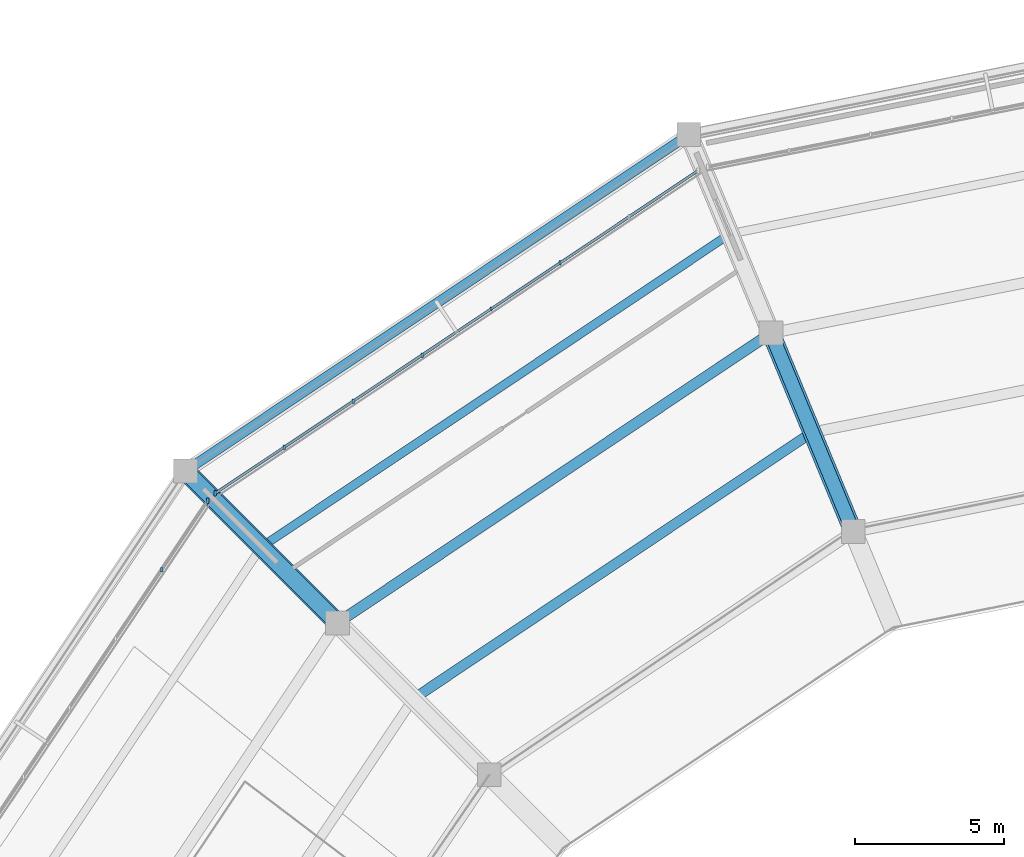
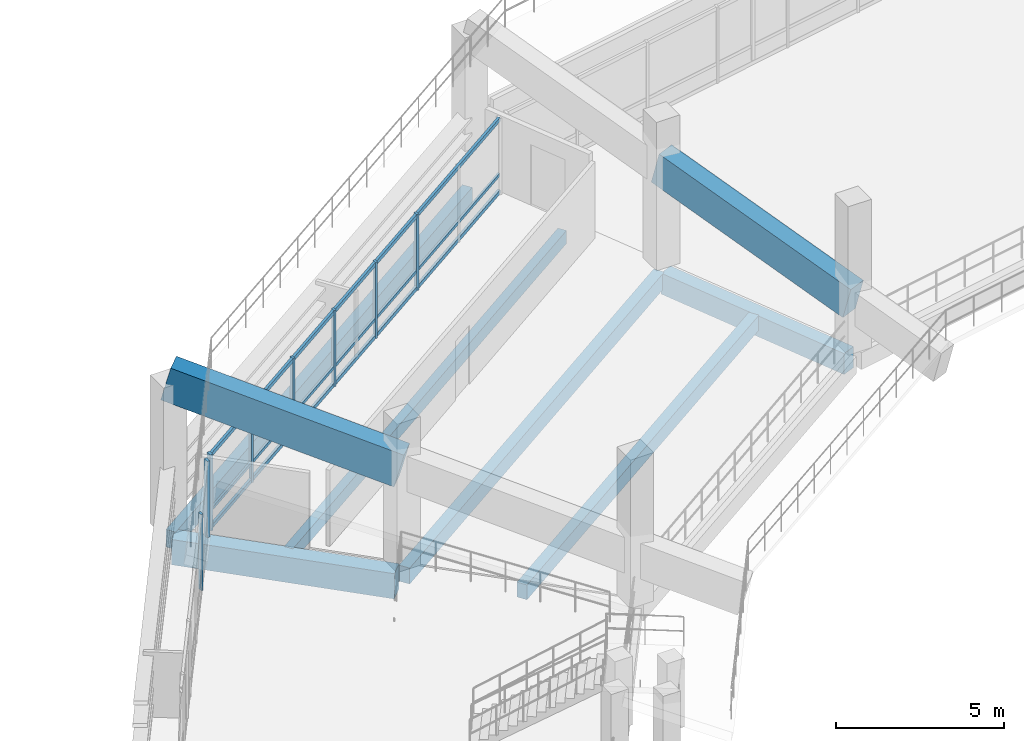
# One storey, part 40 of 96: 11 members, 8 beams, 2 elements without a shape of their own.
"""IFC4 building model written with IfcOpenShell, lengths in metres."""

from ifc_helpers import new_model, si_unit, direction, frame, origin, origin_2d, place, context, subcontext, project, spatial, rectangle, extrude, material, material_profile, profile_set, type_object, element, aggregate, save


model = new_model("IFC4")

# Units and contexts
model_context = context("Model", 3, precision=1e-05, world=origin(), true_north=direction((0.0, 1.0)))
body_context = subcontext(model_context, "Body", "Model", "MODEL_VIEW")
ifc_project = project(units=[si_unit("LENGTHUNIT", "METRE"), si_unit("AREAUNIT", "SQUARE_METRE"), si_unit("VOLUMEUNIT", "CUBIC_METRE"), si_unit("PLANEANGLEUNIT", "RADIAN"), si_unit("MASSUNIT", "GRAM", prefix="KILO")], contexts=[model_context])

# Site, building, storey
site_placement = place(None, origin())
site = spatial("IfcSite", under=ifc_project, at=site_placement, CompositionType="ELEMENT")
building_placement = place(site_placement, origin())
building = spatial("IfcBuilding", under=site, at=building_placement, Name="Candeia Ridge Stadium", CompositionType="ELEMENT")
storey_placement = place(building_placement, frame((0.0, 0.0, 21.60009765625)))
storey = spatial("IfcBuildingStorey", under=building, at=storey_placement, Name="L04", CompositionType="ELEMENT", Elevation=21.60009765625)

# Curtain wall, member
ifc_material_1 = material(Name="Aluminium Anodized Warm Bronze", Category="aluminium")
curtain_wall_type = type_object("IfcCurtainWallType", Name="Concourse Recessed Unitised Curtain Wall", PredefinedType="NOTDEFINED", material=ifc_material_1)
curtain_wall_1_placement = place(storey_placement, origin())
curtain_wall_1 = element("IfcCurtainWall", 1, at=curtain_wall_1_placement, inside=storey, type_object=curtain_wall_type, Name="Unitised curtain wall CW-BWL-L04-08", PredefinedType="NOTDEFINED")
ifc_material_profile_1 = material_profile(ifc_material_1, rectangle(XDim=0.090087890625, YDim=0.179931640625, at=origin_2d()), Name="CWM-90x180", Category="aluminium")
ifc_profile_set_1 = profile_set([ifc_material_profile_1], Name="Aluminium Anodized Warm Bronze")
member_type_1 = type_object("IfcMemberType", Name="Curtain Wall Primary Mullion 90x180", PredefinedType="MULLION", material=ifc_profile_set_1)
member_1_placement = place(storey_placement, frame((35.228515625, 131.02099609375, 0.0), z_axis=(0.0, 0.0, 1.0), x_axis=(1.0, 0.0, 0.0)))
member_1 = element("IfcMember", 2, at=member_1_placement, type_object=member_type_1, Name="Curtain wall mullion CW-BWL-L04-08-M7", PredefinedType="MULLION", context=body_context, shape_type="SweptSolid", body=[
    extrude(rectangle(XDim=0.090087890625, YDim=0.179931640625, at=origin_2d()), origin(), (0.0, 0.0, 1.0), 2.772216796875),
])

curtain_wall_2_placement = place(storey_placement, origin())
curtain_wall_2 = element("IfcCurtainWall", 3, at=curtain_wall_2_placement, inside=storey, type_object=curtain_wall_type, Name="Unitised curtain wall CW-BWL-L04-09", PredefinedType="NOTDEFINED")
member_2_placement = place(storey_placement, frame((34.97900390625, 130.771484375, 0.0), z_axis=(0.0, 0.0, 1.0), x_axis=(1.0, 0.0, 0.0)))
member_2 = element("IfcMember", 4, at=member_2_placement, type_object=member_type_1, Name="Curtain wall mullion CW-BWL-L04-09-M0", PredefinedType="MULLION", context=body_context, shape_type="SweptSolid", body=[
    extrude(rectangle(XDim=0.090087890625, YDim=0.179931640625, at=origin_2d()), origin(), (0.0, 0.0, 1.0), 2.772216796875),
])

# Member
ifc_material_profile_2 = material_profile(ifc_material_1, rectangle(XDim=0.074951171875, YDim=0.14990234375, at=origin_2d()), Name="CWM-75x150", Category="aluminium")
ifc_profile_set_2 = profile_set([ifc_material_profile_2], Name="Aluminium Anodized Warm Bronze")
member_type_2 = type_object("IfcMemberType", Name="Curtain Wall Secondary Mullion 75x150", PredefinedType="MULLION", material=ifc_profile_set_2)
member_3_placement = place(storey_placement, frame((46.78662109375, 138.743896484375, 0.0), z_axis=(0.0, 0.0, 1.0), x_axis=(1.0, 0.0, 0.0)))
member_3 = element("IfcMember", 5, at=member_3_placement, type_object=member_type_2, Name="Curtain wall mullion CW-BWL-L04-08-M2", PredefinedType="MULLION", context=body_context, shape_type="SweptSolid", body=[
    extrude(rectangle(XDim=0.074951171875, YDim=0.14990234375, at=origin_2d()), origin(), (0.0, 0.0, 1.0), 2.772216796875),
])

member_4_placement = place(storey_placement, frame((44.47509765625, 137.19921875, 0.0), z_axis=(0.0, 0.0, 1.0), x_axis=(1.0, 0.0, 0.0)))
member_4 = element("IfcMember", 6, at=member_4_placement, type_object=member_type_2, Name="Curtain wall mullion CW-BWL-L04-08-M3", PredefinedType="MULLION", context=body_context, shape_type="SweptSolid", body=[
    extrude(rectangle(XDim=0.074951171875, YDim=0.14990234375, at=origin_2d()), origin(), (0.0, 0.0, 1.0), 2.772216796875),
])

member_5_placement = place(storey_placement, frame((42.16357421875, 135.65478515625, 0.0), z_axis=(0.0, 0.0, 1.0), x_axis=(1.0, 0.0, 0.0)))
member_5 = element("IfcMember", 7, at=member_5_placement, type_object=member_type_2, Name="Curtain wall mullion CW-BWL-L04-08-M4", PredefinedType="MULLION", context=body_context, shape_type="SweptSolid", body=[
    extrude(rectangle(XDim=0.074951171875, YDim=0.14990234375, at=origin_2d()), origin(), (0.0, 0.0, 1.0), 2.772216796875),
])

member_6_placement = place(storey_placement, frame((39.851806640625, 134.110107421875, 0.0), z_axis=(0.0, 0.0, 1.0), x_axis=(1.0, 0.0, 0.0)))
member_6 = element("IfcMember", 8, at=member_6_placement, type_object=member_type_2, Name="Curtain wall mullion CW-BWL-L04-08-M5", PredefinedType="MULLION", context=body_context, shape_type="SweptSolid", body=[
    extrude(rectangle(XDim=0.074951171875, YDim=0.14990234375, at=origin_2d()), origin(), (0.0, 0.0, 1.0), 2.772216796875),
])

member_7_placement = place(storey_placement, frame((37.540283203125, 132.565673828125, 0.0), z_axis=(0.0, 0.0, 1.0), x_axis=(1.0, 0.0, 0.0)))
member_7 = element("IfcMember", 9, at=member_7_placement, type_object=member_type_2, Name="Curtain wall mullion CW-BWL-L04-08-M6", PredefinedType="MULLION", context=body_context, shape_type="SweptSolid", body=[
    extrude(rectangle(XDim=0.074951171875, YDim=0.14990234375, at=origin_2d()), origin(), (0.0, 0.0, 1.0), 2.772216796875),
])

member_8_placement = place(storey_placement, frame((33.434326171875, 128.459716796875, 0.0), z_axis=(0.0, 0.0, 1.0), x_axis=(1.0, 0.0, 0.0)))
member_8 = element("IfcMember", 10, at=member_8_placement, type_object=member_type_2, Name="Curtain wall mullion CW-BWL-L04-09-M1", PredefinedType="MULLION", context=body_context, shape_type="SweptSolid", body=[
    extrude(rectangle(XDim=0.074951171875, YDim=0.14990234375, at=origin_2d()), origin(), (0.0, 0.0, 1.0), 2.772216796875),
])

aggregate(curtain_wall_2, [member_2, member_8])

ifc_material_profile_3 = material_profile(ifc_material_1, rectangle(XDim=0.074951171875, YDim=0.110107421875, at=origin_2d()), Name="CWT-75x110", Category="aluminium")
ifc_profile_set_3 = profile_set([ifc_material_profile_3], Name="Aluminium Anodized Warm Bronze")
member_type_3 = type_object("IfcMemberType", Name="Curtain Wall Secondary Transom 75x110", PredefinedType="USERDEFINED", material=ifc_profile_set_3)
member_9_placement = place(storey_placement, frame((51.409912109375, 141.8330078125, 0.693115234375), z_axis=(-0.831470840517, -0.555568394863, 0.0), x_axis=(0.555568394863, -0.831470840517, 0.0)))
member_9 = element("IfcMember", 11, at=member_9_placement, type_object=member_type_3, Name="Curtain wall transom CW-BWL-L04-08-T1", ObjectType="TRANSOM", PredefinedType="USERDEFINED", context=body_context, shape_type="SweptSolid", body=[
    extrude(rectangle(XDim=0.074951171875, YDim=0.110107421875, at=origin_2d()), origin(), (0.0, 0.0, 1.0), 19.461181640625),
])

ifc_material_profile_4 = material_profile(ifc_material_1, rectangle(XDim=0.090087890625, YDim=0.139892578125, at=origin_2d()), Name="CWT-90x140", Category="aluminium")
ifc_profile_set_4 = profile_set([ifc_material_profile_4], Name="Aluminium Anodized Warm Bronze")
member_type_4 = type_object("IfcMemberType", Name="Curtain Wall Transom 90x140", PredefinedType="USERDEFINED", material=ifc_profile_set_4)
member_10_placement = place(storey_placement, frame((51.409912109375, 141.8330078125, 0.06982421875), z_axis=(-0.831470840517, -0.555568394863, 0.0), x_axis=(0.555568394863, -0.831470840517, 0.0)))
member_10 = element("IfcMember", 12, at=member_10_placement, type_object=member_type_4, Name="Curtain wall transom CW-BWL-L04-08-T0", ObjectType="TRANSOM", PredefinedType="USERDEFINED", context=body_context, shape_type="SweptSolid", body=[
    extrude(rectangle(XDim=0.090087890625, YDim=0.139892578125, at=origin_2d()), origin(), (0.0, 0.0, 1.0), 19.461181640625),
])

member_11_placement = place(storey_placement, frame((51.409912109375, 141.8330078125, 2.7021484375), z_axis=(-0.831470840517, -0.555568394863, 0.0), x_axis=(0.555568394863, -0.831470840517, 0.0)))
member_11 = element("IfcMember", 13, at=member_11_placement, type_object=member_type_4, Name="Curtain wall transom CW-BWL-L04-08-T2", ObjectType="TRANSOM", PredefinedType="USERDEFINED", context=body_context, shape_type="SweptSolid", body=[
    extrude(rectangle(XDim=0.090087890625, YDim=0.139892578125, at=origin_2d()), origin(), (0.0, 0.0, 1.0), 19.461181640625),
])

aggregate(curtain_wall_1, [member_3, member_4, member_5, member_6, member_7, member_1, member_10, member_9, member_11])

# Beams
ifc_material_2 = material(Name="Concrete C40/50", Category="concrete")
ifc_material_profile_5 = material_profile(ifc_material_2, rectangle(XDim=0.2900390625, YDim=0.469970703125, at=origin_2d()), Name="RC290x470", Category="concrete")
ifc_profile_set_5 = profile_set([ifc_material_profile_5], Name="Concrete C40/50")
beam_type_1 = type_object("IfcBeamType", Name="Floor Joist RC290x470", PredefinedType="JOIST", material=ifc_profile_set_5)
beam_1_placement = place(storey_placement, frame((52.29345703125, 139.592529296875, -0.4951171875), z_axis=(-0.831467306639, -0.555573683674, 0.0), x_axis=(0.555573683674, -0.831467306639, 0.0)))
element("IfcBeam", 14, at=beam_1_placement, inside=storey, type_object=beam_type_1, Name="Concourse secondary joist BM-L04-0832", PredefinedType="JOIST", context=body_context, shape_type="SweptSolid", body=[
    extrude(rectangle(XDim=0.2900390625, YDim=0.469970703125, at=origin_2d()), origin(), (0.0, 0.0, 1.0), 18.440673828125),
])
ifc_material_profile_6 = material_profile(ifc_material_2, rectangle(XDim=0.340087890625, YDim=0.5400390625, at=origin_2d()), Name="RC340x540", Category="concrete")
ifc_profile_set_6 = profile_set([ifc_material_profile_6], Name="Concrete C40/50")
beam_type_2 = type_object("IfcBeamType", Name="Floor Joist RC340x540", PredefinedType="JOIST", material=ifc_profile_set_6)
beam_2_placement = place(storey_placement, frame((55.048828125, 132.9404296875, -0.530029296875), z_axis=(-0.831470752017, -0.555568527312, 0.0), x_axis=(0.555568527312, -0.831470752017, 0.0)))
element("IfcBeam", 15, at=beam_2_placement, inside=storey, type_object=beam_type_2, Name="Concourse secondary joist BM-L04-0831", PredefinedType="JOIST", context=body_context, shape_type="SweptSolid", body=[
    extrude(rectangle(XDim=0.340087890625, YDim=0.5400390625, at=origin_2d()), origin(), (0.0, 0.0, 1.0), 15.63134765625),
])
ifc_material_profile_7 = material_profile(ifc_material_2, rectangle(XDim=0.360107421875, YDim=0.580078125, at=origin_2d()), Name="RC360x580", Category="concrete")
ifc_profile_set_7 = profile_set([ifc_material_profile_7], Name="Concrete C40/50")
beam_type_3 = type_object("IfcBeamType", Name="Frame Girder RC360x580", PredefinedType="BEAM", material=ifc_profile_set_7)
beam_3_placement = place(storey_placement, frame((53.72265625, 136.301025390625, -0.550048828125), z_axis=(-0.831467614091, -0.555573223542, 0.0), x_axis=(0.555573223542, -0.831467614091, 0.0)))
element("IfcBeam", 16, at=beam_3_placement, inside=storey, type_object=beam_type_3, Name="Concourse spine girder BM-L04-0829", PredefinedType="BEAM", context=body_context, shape_type="SweptSolid", body=[
    extrude(rectangle(XDim=0.360107421875, YDim=0.580078125, at=origin_2d()), origin(), (0.0, 0.0, 1.0), 17.16015625),
])
ifc_material_profile_8 = material_profile(ifc_material_2, rectangle(XDim=0.469970703125, YDim=0.760009765625, at=origin_2d()), Name="RC470x760", Category="concrete")
ifc_profile_set_8 = profile_set([ifc_material_profile_8], Name="Concrete C40/50")
beam_type_4 = type_object("IfcBeamType", Name="Frame Girder RC470x760", PredefinedType="BEAM", material=ifc_profile_set_8)
beam_4_placement = place(storey_placement, frame((56.5498046875, 129.8857421875, -0.64013671875), z_axis=(-0.382681914982, 0.923880161031, 0.0), x_axis=(-0.923880161031, -0.382681914982, 0.0)))
element("IfcBeam", 17, at=beam_4_placement, inside=storey, type_object=beam_type_4, Name="Bowl radial girder BM-L04-0737", PredefinedType="BEAM", context=body_context, shape_type="SweptSolid", body=[
    extrude(rectangle(XDim=0.469970703125, YDim=0.760009765625, at=origin_2d()), origin(), (0.0, 0.0, 1.0), 6.8798828125),
])
ifc_material_3 = material(Name="Concrete C45/55", Category="concrete")
ifc_material_profile_9 = material_profile(ifc_material_3, rectangle(XDim=0.550048828125, YDim=0.919921875, at=origin_2d()), Name="RC550x920", Category="concrete")
ifc_profile_set_9 = profile_set([ifc_material_profile_9], Name="Concrete C45/55")
beam_type_5 = type_object("IfcBeamType", Name="Frame Girder RC550x920", PredefinedType="BEAM", material=ifc_profile_set_9)
beam_5_placement = place(storey_placement, frame((39.20849609375, 126.79150390625, -0.72021484375), z_axis=(-0.707106781187, 0.707106781187, 0.0), x_axis=(-0.707106781187, -0.707106781187, 0.0)))
element("IfcBeam", 18, at=beam_5_placement, inside=storey, type_object=beam_type_5, Name="Bowl radial girder BM-L04-0740", PredefinedType="BEAM", context=body_context, shape_type="SweptSolid", body=[
    extrude(rectangle(XDim=0.550048828125, YDim=0.919921875, at=origin_2d()), origin(), (0.0, 0.0, 1.0), 6.880126953125),
])
ifc_material_profile_10 = material_profile(ifc_material_2, rectangle(XDim=0.330078125, YDim=0.639892578125, at=origin_2d()), Name="RC330x640", Category="concrete")
ifc_profile_set_10 = profile_set([ifc_material_profile_10], Name="Concrete C40/50")
beam_type_6 = type_object("IfcBeamType", Name="Spandrel Beam RC330x640", PredefinedType="SPANDREL", material=ifc_profile_set_10)
beam_6_placement = place(storey_placement, frame((50.967529296875, 142.952880859375, -0.580078125), z_axis=(-0.831468647505, -0.555571676938, 0.0), x_axis=(0.555571676938, -0.831468647505, 0.0)))
element("IfcBeam", 19, at=beam_6_placement, inside=storey, type_object=beam_type_6, Name="Bowl perimeter spandrel BM-L04-0830", PredefinedType="SPANDREL", context=body_context, shape_type="SweptSolid", body=[
    extrude(rectangle(XDim=0.330078125, YDim=0.639892578125, at=origin_2d()), origin(), (0.0, 0.0, 1.0), 19.969482421875),
])
ifc_material_profile_11 = material_profile(ifc_material_3, rectangle(XDim=0.6201171875, YDim=1.179931640625, at=origin_2d()), Name="RC620x1180", Category="concrete")
ifc_profile_set_11 = profile_set([ifc_material_profile_11], Name="Concrete C45/55")
beam_type_7 = type_object("IfcBeamType", Name="Stand Raker Beam RC620x1180", PredefinedType="USERDEFINED", material=ifc_profile_set_11)
beam_7_placement = place(storey_placement, frame((56.611083984375, 129.73779296875, 1.66796875), z_axis=(-0.370467920593, 0.894394775155, 0.250622237615), x_axis=(-0.923880454805, -0.382681205745, 0.0)))
element("IfcBeam", 20, at=beam_7_placement, inside=storey, type_object=beam_type_7, Name="Stand T3 inner raker beam 09", ObjectType="RAKER", PredefinedType="USERDEFINED", context=body_context, shape_type="SweptSolid", body=[
    extrude(rectangle(XDim=0.6201171875, YDim=1.179931640625, at=origin_2d()), origin(), (0.0, 0.0, 1.0), 7.4375),
])
ifc_material_profile_12 = material_profile(ifc_material_3, rectangle(XDim=0.64990234375, YDim=1.25, at=origin_2d()), Name="RC650x1250", Category="concrete")
ifc_profile_set_12 = profile_set([ifc_material_profile_12], Name="Concrete C45/55")
beam_type_8 = type_object("IfcBeamType", Name="Stand Raker Beam RC650x1250", PredefinedType="USERDEFINED", material=ifc_profile_set_12)
beam_8_placement = place(storey_placement, frame((39.321533203125, 126.678466796875, 3.531982421875), z_axis=(-0.684526258394, 0.684526258394, 0.250694242332), x_axis=(-0.707106781187, -0.707106781187, 0.0)))
element("IfcBeam", 21, at=beam_8_placement, inside=storey, type_object=beam_type_8, Name="Stand T3 outer raker beam 10", ObjectType="RAKER", PredefinedType="USERDEFINED", context=body_context, shape_type="SweptSolid", body=[
    extrude(rectangle(XDim=0.64990234375, YDim=1.25, at=origin_2d()), origin(), (0.0, 0.0, 1.0), 7.437255859375),
])

save(model, "model.ifc")
